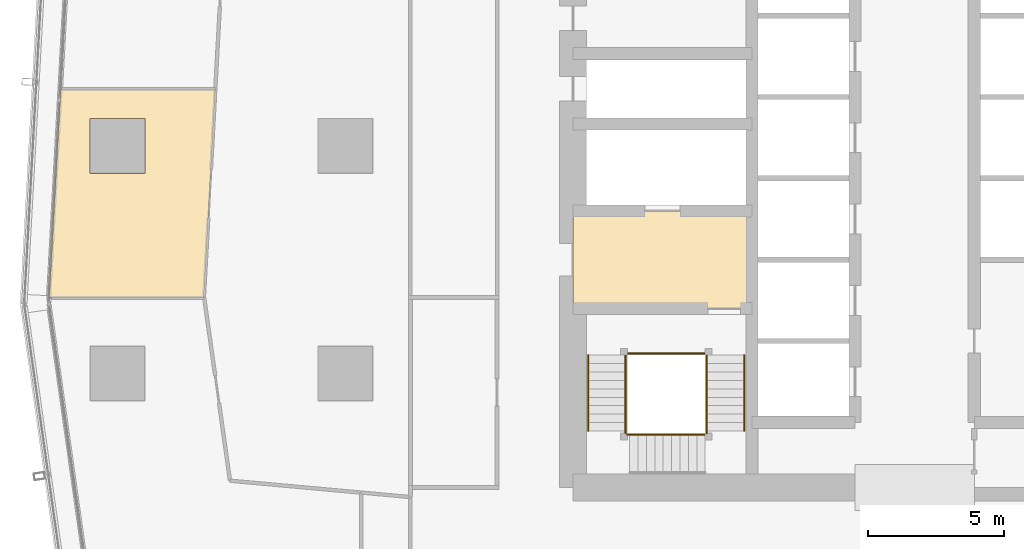
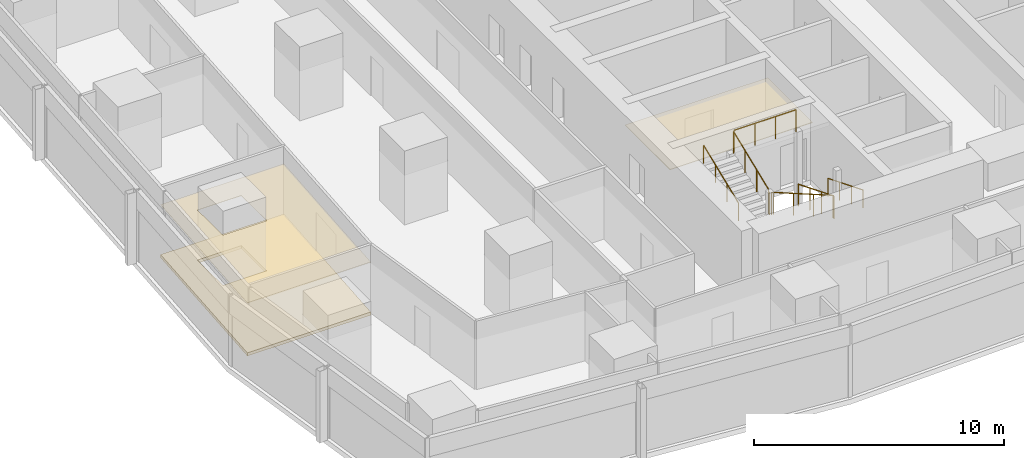
# One storey, part 33 of 39: 9 railings, 3 coverings.
"""IFC4 building model written with IfcOpenShell, lengths in metres."""

import ifcopenshell
import ifcopenshell.guid

model = None  # the IFC model being written
_history = None  # IfcOwnerHistory: only IFC2X3 demands one
_inside = {}  # id of a spatial element -> (the spatial element, [elements in it])
_under = {}  # id of a project, library or spatial element -> (it, [spatial elements below it])
_declared = {}  # id of a project -> (the project, [libraries it declares])
_typed = {}  # id of a type object -> (the type object, [elements of that type])
_made_of = {}  # id of a material, layer set ... -> (it, [elements and type objects made of it])


def new_model(schema):
    """Start an empty IFC model of exactly this schema.

    Asked for "IFC4X3", IfcOpenShell would pick the latest addendum, in which some entities
    have other attributes; the version numbers below select the first issue.
    IFC2X3 requires an IfcOwnerHistory on every rooted entity: one is made here for all.
    """
    global model, _history
    if schema == "IFC4X3":
        model = ifcopenshell.file(schema_version=(4, 3, 0, 0))
    else:
        model = ifcopenshell.file(schema=schema)
    _inside.clear()
    _under.clear()
    _declared.clear()
    _typed.clear()
    _made_of.clear()
    _history = None
    if model.schema == "IFC2X3":
        org = make("IfcOrganization", Name="unknown")
        user = make(
            "IfcPersonAndOrganization",
            ThePerson=make("IfcPerson", FamilyName="unknown"),
            TheOrganization=org,
        )
        app = make(
            "IfcApplication",
            ApplicationDeveloper=org,
            Version="unknown",
            ApplicationFullName="unknown",
            ApplicationIdentifier="unknown",
        )
        _history = make(
            "IfcOwnerHistory",
            OwningUser=user,
            OwningApplication=app,
            ChangeAction="ADDED",
            CreationDate=0,
        )
    return model


def make(cls, **values):
    """One entity of the class cls with the attributes given. An attribute that is None is left unset."""
    return model.create_entity(
        cls, **{name: value for name, value in values.items() if value is not None}
    )


def rooted(cls, **values):
    """An entity with a GlobalId (a new one), such as an element, a storey or a relation."""
    return make(cls, GlobalId=ifcopenshell.guid.new(), OwnerHistory=_history, **values)


def si_unit(unit_type, name, prefix=None):
    """IfcSIUnit, for example si_unit("LENGTHUNIT", "METRE", prefix="MILLI")."""
    return make("IfcSIUnit", UnitType=unit_type, Prefix=prefix, Name=name)


def assignment(units):
    """IfcUnitAssignment: the units of a project."""
    return None if units is None else make("IfcUnitAssignment", Units=units)


def point(xyz):
    """IfcCartesianPoint."""
    return None if xyz is None else make("IfcCartesianPoint", Coordinates=xyz)


def direction(xyz):
    """IfcDirection."""
    return None if xyz is None else make("IfcDirection", DirectionRatios=xyz)


def frame(location, z_axis=None, x_axis=None):
    """IfcAxis2Placement3D, a coordinate frame: its origin and axes. An axis left out is left unset."""
    return make(
        "IfcAxis2Placement3D",
        Location=point(location),
        Axis=direction(z_axis),
        RefDirection=direction(x_axis),
    )


def frame_2d(location, x_axis=None):
    """IfcAxis2Placement2D, a coordinate frame in the plane: its origin and x axis."""
    return make(
        "IfcAxis2Placement2D", Location=point(location), RefDirection=direction(x_axis)
    )


def origin():
    """The frame at (0, 0, 0) with its axes left unset."""
    return frame((0.0, 0.0, 0.0))


def origin_2d():
    """The frame at (0, 0) in the plane with its x axis left unset."""
    return frame_2d((0.0, 0.0))


def place(relative_to, where):
    """IfcLocalPlacement: puts the frame where relative to a parent placement (None: the world)."""
    return make(
        "IfcLocalPlacement", PlacementRelTo=relative_to, RelativePlacement=where
    )


def context(
    kind, dimensions, precision=None, world=None, true_north=None, identifier=None
):
    """IfcGeometricRepresentationContext, for example the 3D "Model" context."""
    return make(
        "IfcGeometricRepresentationContext",
        ContextIdentifier=identifier,
        ContextType=kind,
        CoordinateSpaceDimension=dimensions,
        Precision=precision,
        WorldCoordinateSystem=world,
        TrueNorth=true_north,
    )


def subcontext(parent, identifier, kind, view, scale=None):
    """IfcGeometricRepresentationSubContext, for example "Body" below "Model"."""
    return make(
        "IfcGeometricRepresentationSubContext",
        ContextIdentifier=identifier,
        ContextType=kind,
        ParentContext=parent,
        TargetScale=scale,
        TargetView=view,
    )


def project(units=None, contexts=None):
    """IfcProject with its units and contexts."""
    return rooted(
        "IfcProject",
        Name="project",
        RepresentationContexts=contexts,
        UnitsInContext=assignment(units),
    )


def spatial(cls, under=None, at=None, **own):
    """A site, building, storey or space (cls), placed at a placement, below another one or the project."""
    s = rooted(cls, ObjectPlacement=at, **own)
    if under is not None:
        _under.setdefault(under.id(), (under, []))[1].append(s)
    return s


def polyline(points):
    """IfcPolyline through the points."""
    return make("IfcPolyline", Points=[point(p) for p in points])


def profile(cls, at=None, kind="AREA", **sizes):
    """A parametric profile (cls). Its sizes go by their IFC names, for example OverallWidth=200.0."""
    return make(cls, ProfileType=kind, Position=at, **sizes)


def circle(**sizes):
    """IfcCircleProfileDef."""
    return profile("IfcCircleProfileDef", **sizes)


def outline(outer, holes=None, kind="AREA"):
    """IfcArbitraryClosedProfileDef: a profile drawn as a closed curve; with holes, ...WithVoids."""
    if holes is None:
        return make("IfcArbitraryClosedProfileDef", ProfileType=kind, OuterCurve=outer)
    return make(
        "IfcArbitraryProfileDefWithVoids",
        ProfileType=kind,
        OuterCurve=outer,
        InnerCurves=holes,
    )


def extrude(swept, where, along, depth):
    """IfcExtrudedAreaSolid: the profile swept, set in the frame where, extruded along a direction by depth."""
    return make(
        "IfcExtrudedAreaSolid",
        SweptArea=swept,
        Position=where,
        ExtrudedDirection=direction(along),
        Depth=depth,
    )


def shape(context_of_items, identifier, shape_type, items):
    """IfcShapeRepresentation: the items that make up one representation, for example the "Body"."""
    return make(
        "IfcShapeRepresentation",
        ContextOfItems=context_of_items,
        RepresentationIdentifier=identifier,
        RepresentationType=shape_type,
        Items=items,
    )


def material(Name=None, Category=None):
    """IfcMaterial."""
    return make("IfcMaterial", Name=Name, Category=Category)


def layer(
    of_material, thickness, ventilated=None, Name=None, Category=None, Priority=None
):
    """IfcMaterialLayer: one layer of a wall or slab, of a material (None: an air gap)."""
    return make(
        "IfcMaterialLayer",
        Material=of_material,
        LayerThickness=thickness,
        IsVentilated=ventilated,
        Name=Name,
        Category=Category,
        Priority=Priority,
    )


def layer_set(layers, Name=None):
    """IfcMaterialLayerSet."""
    return make("IfcMaterialLayerSet", MaterialLayers=layers, LayerSetName=Name)


def made_of(thing, what):
    """Note that an element or type object is made of a material, layer set ...; save() writes the relation."""
    if what is not None:
        _made_of.setdefault(what.id(), (what, []))[1].append(thing)
    return thing


def type_object(cls, material=None, **own):
    """A type object (cls), such as IfcWallType, which elements share."""
    return made_of(rooted(cls, **own), material)


def element(
    cls,
    number,
    at=None,
    inside=None,
    cuts=None,
    type_object=None,
    material=None,
    context=None,
    identifier="Body",
    shape_type=None,
    held_by="IfcProductDefinitionShape",
    body=None,
    shapes=None,
    **own,
):
    """One element of the class cls, such as IfcWall. Its Tag is "e" and its number.

    at: its placement. inside: the storey or other place that contains it. cuts: it is an
    opening in that element (IfcRelVoidsElement). A single representation is given by context,
    identifier, shape_type and body (its items); several are given by shapes. held_by: the class
    of the entity that holds the representations. save() writes the other relations.
    """
    e = rooted(cls, Tag="e%d" % number, ObjectPlacement=at, **own)
    if body is not None:
        shapes = [shape(context, identifier, shape_type, body)]
    if shapes is not None:
        e.Representation = make(held_by, Representations=shapes)
    if inside is not None:
        _inside.setdefault(inside.id(), (inside, []))[1].append(e)
    if cuts is not None:
        rooted(
            "IfcRelVoidsElement", RelatingBuildingElement=cuts, RelatedOpeningElement=e
        )
    if type_object is not None:
        _typed.setdefault(type_object.id(), (type_object, []))[1].append(e)
    return made_of(e, material)


def aggregate(whole, parts):
    """IfcRelAggregates: a whole, such as a stair, and the parts it consists of."""
    return rooted("IfcRelAggregates", RelatingObject=whole, RelatedObjects=parts)


def save(model, path):
    """Write the relations noted so far, then the file.

    IfcRelAggregates (storeys below a building ...), IfcRelContainedInSpatialStructure (elements
    in a storey), IfcRelDefinesByType, IfcRelAssociatesMaterial and IfcRelDeclares: one each for
    every whole, place, type object, material and project.
    """
    for whole, parts in _under.values():
        aggregate(whole, parts)
    for where, things in _inside.values():
        rooted(
            "IfcRelContainedInSpatialStructure",
            RelatedElements=things,
            RelatingStructure=where,
        )
    for kind, things in _typed.values():
        rooted("IfcRelDefinesByType", RelatedObjects=things, RelatingType=kind)
    for what, things in _made_of.values():
        rooted("IfcRelAssociatesMaterial", RelatedObjects=things, RelatingMaterial=what)
    for by, libraries in _declared.values():
        rooted("IfcRelDeclares", RelatingContext=by, RelatedDefinitions=libraries)
    model.write(path)


model = new_model("IFC4")

# Units and contexts
model_context = context("Model", 3, precision=1e-05, world=origin(), true_north=direction((0.0, 1.0)))
body_context = subcontext(model_context, "Body", "Model", "MODEL_VIEW")
ifc_project = project(units=[si_unit("LENGTHUNIT", "METRE"), si_unit("AREAUNIT", "SQUARE_METRE"), si_unit("VOLUMEUNIT", "CUBIC_METRE"), si_unit("PLANEANGLEUNIT", "RADIAN"), si_unit("MASSUNIT", "GRAM", prefix="KILO")], contexts=[model_context])

# Site, building, storey
site_placement = place(None, origin())
site = spatial("IfcSite", under=ifc_project, at=site_placement, CompositionType="ELEMENT")
building_placement = place(site_placement, origin())
building = spatial("IfcBuilding", under=site, at=building_placement, Name="Rekha Terrace Tower", CompositionType="ELEMENT")
storey_placement = place(building_placement, frame((0.0, 0.0, 147.800048828125)))
storey = spatial("IfcBuildingStorey", under=building, at=storey_placement, Name="L37", CompositionType="ELEMENT", Elevation=147.800048828125)

# Coverings
ifc_material_1 = material(Name="Mineral fibre tile in exposed grid", Category="finish")
ifc_layer_1 = layer(ifc_material_1, 0.02001953125)
ifc_layer_set_1 = layer_set([ifc_layer_1], Name="Mineral fibre tile in exposed grid")
covering_type_1 = type_object("IfcCoveringType", Name="CL1 600x1200 office grid ceiling", PredefinedType="CEILING", material=ifc_layer_set_1)
covering_1_placement = place(storey_placement, frame((0.0, 0.0, 2.579833984375)))
element("IfcCovering", 1, at=covering_1_placement, inside=storey, type_object=covering_type_1, Name="Ceiling L37-15", PredefinedType="CEILING", context=body_context, shape_type="SweptSolid", body=[
    extrude(outline(polyline([(5.8740234375, 28.0), (11.5830078125, 28.0), (12.00390625, 35.68701171875), (6.2958984375, 35.68701171875), (5.8740234375, 28.0)]), holes=[polyline([(9.4150390625, 32.5849609375), (7.385009765625, 32.5849609375), (7.385009765625, 34.614990234375), (9.4150390625, 34.614990234375), (9.4150390625, 32.5849609375)])]), origin(), (0.0, 0.0, 1.0), 0.02001953125),
])
ifc_material_2 = material(Name="Powder-coated aluminium pan", Category="aluminium")
ifc_layer_2 = layer(ifc_material_2, 0.030029296875)
ifc_layer_set_2 = layer_set([ifc_layer_2], Name="Powder-coated aluminium pan")
covering_type_2 = type_object("IfcCoveringType", Name="CL3 300x1200 metal pan ceiling", PredefinedType="CEILING", material=ifc_layer_set_2)
covering_2_placement = place(storey_placement, frame((0.0, 0.0, 2.570068359375)))
element("IfcCovering", 2, at=covering_2_placement, inside=storey, type_object=covering_type_2, Name="Ceiling L37-FLB1", PredefinedType="CEILING", context=body_context, shape_type="SweptSolid", body=[
    extrude(outline(polyline([(31.800048828125, 31.199951171875), (25.199951171875, 31.199951171875), (25.199951171875, 27.60009765625), (31.800048828125, 27.60009765625), (31.800048828125, 31.199951171875)])), origin(), (0.0, 0.0, 1.0), 0.02978515625),
])

# Railings
ifc_material_3 = material(Name="Stainless steel balustrade", Category="steel")
railing_type_1 = type_object("IfcRailingType", Name="GR1 1100 stair guard", PredefinedType="GUARDRAIL", material=ifc_material_3)
railing_1_placement = place(storey_placement, frame((30.135009765625, 25.875, 0.125)))
element("IfcRailing", 3, at=railing_1_placement, inside=storey, type_object=railing_type_1, Name="Guard ST1 L37 flight 1", PredefinedType="GUARDRAIL", context=body_context, shape_type="SweptSolid", body=[
    extrude(circle(Radius=0.02392578125, at=origin_2d()), frame((0.0, 0.0, 1.076171875), z_axis=(0.0, -0.927443287984, 0.373963831907), x_axis=(1.0, 0.0, 0.0)), (0.0, 0.0, 1.0), 3.00830078125),
    extrude(circle(Radius=0.02099609375, at=origin_2d()), origin(), (0.0, 0.0, 1.0), 1.052001953125),
    extrude(circle(Radius=0.02099609375, at=origin_2d()), frame((0.0, -0.929931640625, 0.375)), (0.0, 0.0, 1.0), 1.052001953125),
    extrude(circle(Radius=0.02099609375, at=origin_2d()), frame((0.0, -1.860107421875, 0.75)), (0.0, 0.0, 1.0), 1.052001953125),
    extrude(circle(Radius=0.02099609375, at=origin_2d()), frame((0.0, -2.7900390625, 1.125)), (0.0, 0.0, 1.0), 1.052001953125),
])
railing_2_placement = place(storey_placement, frame((30.074951171875, 22.93994140625, 1.375)))
element("IfcRailing", 4, at=railing_2_placement, inside=storey, type_object=railing_type_1, Name="Guard ST1 L37 flight 2", PredefinedType="GUARDRAIL", context=body_context, shape_type="SweptSolid", body=[
    extrude(circle(Radius=0.02392578125, at=origin_2d()), frame((0.0, 0.0, 1.076171875), z_axis=(-0.927443287984, 0.0, 0.373963831907), x_axis=(0.0, -1.0, 0.0)), (0.0, 0.0, 1.0), 3.00830078125),
    extrude(circle(Radius=0.02099609375, at=origin_2d()), origin(), (0.0, 0.0, 1.0), 1.052001953125),
    extrude(circle(Radius=0.02099609375, at=origin_2d()), frame((-0.929931640625, 0.0, 0.375)), (0.0, 0.0, 1.0), 1.052001953125),
    extrude(circle(Radius=0.02099609375, at=origin_2d()), frame((-1.860107421875, 0.0, 0.75)), (0.0, 0.0, 1.0), 1.052001953125),
    extrude(circle(Radius=0.02099609375, at=origin_2d()), frame((-2.7900390625, 0.0, 1.125)), (0.0, 0.0, 1.0), 1.052001953125),
])
railing_3_placement = place(storey_placement, frame((27.139892578125, 23.0849609375, 2.625)))
element("IfcRailing", 5, at=railing_3_placement, inside=storey, type_object=railing_type_1, Name="Guard ST1 L37 flight 3", PredefinedType="GUARDRAIL", context=body_context, shape_type="SweptSolid", body=[
    extrude(circle(Radius=0.02392578125, at=origin_2d()), frame((0.0, 0.0, 1.076171875), z_axis=(0.0, 0.927443287984, 0.373963831907), x_axis=(-1.0, 0.0, 0.0)), (0.0, 0.0, 1.0), 3.00830078125),
    extrude(circle(Radius=0.02099609375, at=origin_2d()), origin(), (0.0, 0.0, 1.0), 1.052001953125),
    extrude(circle(Radius=0.02099609375, at=origin_2d()), frame((0.0, 0.929931640625, 0.375)), (0.0, 0.0, 1.0), 1.052001953125),
    extrude(circle(Radius=0.02099609375, at=origin_2d()), frame((0.0, 1.860107421875, 0.75)), (0.0, 0.0, 1.0), 1.052001953125),
    extrude(circle(Radius=0.02099609375, at=origin_2d()), frame((0.0, 2.7900390625, 1.125)), (0.0, 0.0, 1.0), 1.052001953125),
])
railing_4_placement = place(storey_placement, frame((30.135009765625, 23.0849609375, 1.25)))
element("IfcRailing", 6, at=railing_4_placement, inside=storey, type_object=railing_type_1, Name="Guard ST1 L37 landing 1", PredefinedType="GUARDRAIL", context=body_context, shape_type="SweptSolid", body=[
    extrude(circle(Radius=0.02392578125, at=origin_2d()), frame((0.0, 0.0, 1.076171875), z_axis=(0.0, -1.0, 0.0), x_axis=(1.0, 0.0, 0.0)), (0.0, 0.0, 1.0), 0.0849609375),
    extrude(circle(Radius=0.02099609375, at=origin_2d()), origin(), (0.0, 0.0, 1.0), 1.052001953125),
    extrude(circle(Radius=0.02099609375, at=origin_2d()), frame((0.0, -0.0849609375, 0.0)), (0.0, 0.0, 1.0), 1.052001953125),
])
railing_5_placement = place(storey_placement, frame((27.284912109375, 22.93994140625, 2.5)))
element("IfcRailing", 7, at=railing_5_placement, inside=storey, type_object=railing_type_1, Name="Guard ST1 L37 landing 2", PredefinedType="GUARDRAIL", context=body_context, shape_type="SweptSolid", body=[
    extrude(circle(Radius=0.02392578125, at=origin_2d()), frame((0.0, 0.0, 1.076171875), z_axis=(-1.0, 0.0, 0.0), x_axis=(0.0, -1.0, 0.0)), (0.0, 0.0, 1.0), 0.0849609375),
    extrude(circle(Radius=0.02099609375, at=origin_2d()), origin(), (0.0, 0.0, 1.0), 1.052001953125),
    extrude(circle(Radius=0.02099609375, at=origin_2d()), frame((-0.0849609375, 0.0, 0.0)), (0.0, 0.0, 1.0), 1.052001953125),
])
railing_6_placement = place(storey_placement, frame((27.139892578125, 23.0849609375, 2.5)))
element("IfcRailing", 8, at=railing_6_placement, inside=storey, type_object=railing_type_1, Name="Guard ST1 L37 landing 3", PredefinedType="GUARDRAIL", context=body_context, shape_type="SweptSolid", body=[
    extrude(circle(Radius=0.02392578125, at=origin_2d()), frame((0.0, 0.0, 1.076171875), z_axis=(0.0, -1.0, 0.0), x_axis=(1.0, 0.0, 0.0)), (0.0, 0.0, 1.0), 0.0849609375),
    extrude(circle(Radius=0.02099609375, at=origin_2d()), origin(), (0.0, 0.0, 1.0), 1.052001953125),
    extrude(circle(Radius=0.02099609375, at=origin_2d()), frame((0.0, -0.0849609375, 0.0)), (0.0, 0.0, 1.0), 1.052001953125),
])
railing_7_placement = place(storey_placement, frame((30.074951171875, 25.93505859375, 3.75)))
element("IfcRailing", 9, at=railing_7_placement, inside=storey, type_object=railing_type_1, Name="Guard ST1 L37 landing 4", PredefinedType="GUARDRAIL", context=body_context, shape_type="SweptSolid", body=[
    extrude(circle(Radius=0.02392578125, at=origin_2d()), frame((0.0, 0.0, 1.076171875), z_axis=(-1.0, 0.0, 0.0), x_axis=(0.0, -1.0, 0.0)), (0.0, 0.0, 1.0), 2.875),
    extrude(circle(Radius=0.02099609375, at=origin_2d()), origin(), (0.0, 0.0, 1.0), 1.052001953125),
    extrude(circle(Radius=0.02099609375, at=origin_2d()), frame((-0.958251953125, 0.0, 0.0)), (0.0, 0.0, 1.0), 1.052001953125),
    extrude(circle(Radius=0.02099609375, at=origin_2d()), frame((-1.916748046875, 0.0, 0.0)), (0.0, 0.0, 1.0), 1.052001953125),
    extrude(circle(Radius=0.02099609375, at=origin_2d()), frame((-2.875, 0.0, 0.0)), (0.0, 0.0, 1.0), 1.052001953125),
])
ifc_material_4 = material(Name="Stainless steel tube", Category="steel")
railing_type_2 = type_object("IfcRailingType", Name="HR1 900 stair handrail", PredefinedType="HANDRAIL", material=ifc_material_4)
railing_8_placement = place(storey_placement, frame((31.514892578125, 25.875, 0.125)))
element("IfcRailing", 10, at=railing_8_placement, inside=storey, type_object=railing_type_2, Name="Handrail ST1 L37 flight 1", PredefinedType="HANDRAIL", context=body_context, shape_type="SweptSolid", body=[
    extrude(circle(Radius=0.02392578125, at=origin_2d()), frame((0.0, 0.0, 0.8759765625), z_axis=(0.0, -0.927443287984, 0.373963831907), x_axis=(1.0, 0.0, 0.0)), (0.0, 0.0, 1.0), 3.00830078125),
    extrude(circle(Radius=0.02099609375, at=origin_2d()), origin(), (0.0, 0.0, 1.0), 0.851806640625),
    extrude(circle(Radius=0.02099609375, at=origin_2d()), frame((0.0, -0.929931640625, 0.375)), (0.0, 0.0, 1.0), 0.851806640625),
    extrude(circle(Radius=0.02099609375, at=origin_2d()), frame((0.0, -1.860107421875, 0.75)), (0.0, 0.0, 1.0), 0.851806640625),
    extrude(circle(Radius=0.02099609375, at=origin_2d()), frame((0.0, -2.7900390625, 1.125)), (0.0, 0.0, 1.0), 0.851806640625),
])
railing_9_placement = place(storey_placement, frame((25.760009765625, 23.0849609375, 2.625)))
element("IfcRailing", 11, at=railing_9_placement, inside=storey, type_object=railing_type_2, Name="Handrail ST1 L37 flight 3", PredefinedType="HANDRAIL", context=body_context, shape_type="SweptSolid", body=[
    extrude(circle(Radius=0.02392578125, at=origin_2d()), frame((0.0, 0.0, 0.8759765625), z_axis=(0.0, 0.927443287984, 0.373963831907), x_axis=(-1.0, 0.0, 0.0)), (0.0, 0.0, 1.0), 3.00830078125),
    extrude(circle(Radius=0.02099609375, at=origin_2d()), origin(), (0.0, 0.0, 1.0), 0.851806640625),
    extrude(circle(Radius=0.02099609375, at=origin_2d()), frame((0.0, 0.929931640625, 0.375)), (0.0, 0.0, 1.0), 0.851806640625),
    extrude(circle(Radius=0.02099609375, at=origin_2d()), frame((0.0, 1.860107421875, 0.75)), (0.0, 0.0, 1.0), 0.851806640625),
    extrude(circle(Radius=0.02099609375, at=origin_2d()), frame((0.0, 2.7900390625, 1.125)), (0.0, 0.0, 1.0), 0.851806640625),
])

# Covering
ifc_material_5 = material(Name="Calcium sulphate panels on steel pedestals", Category="steel")
ifc_layer_3 = layer(ifc_material_5, 0.14990234375)
ifc_layer_set_3 = layer_set([ifc_layer_3], Name="Calcium sulphate panels on steel pedestals")
covering_type_3 = type_object("IfcCoveringType", Name="RF1 150 raised access floor", PredefinedType="FLOORING", material=ifc_layer_set_3)
covering_3_placement = place(storey_placement, origin())
element("IfcCovering", 12, at=covering_3_placement, inside=storey, type_object=covering_type_3, Name="Raised floor L37-15", PredefinedType="FLOORING", context=body_context, shape_type="SweptSolid", body=[
    extrude(outline(polyline([(5.8740234375, 28.0), (11.5830078125, 28.0), (12.00390625, 35.68701171875), (6.2958984375, 35.68701171875), (5.8740234375, 28.0)]), holes=[polyline([(9.4150390625, 32.5849609375), (7.385009765625, 32.5849609375), (7.385009765625, 34.614990234375), (9.4150390625, 34.614990234375), (9.4150390625, 32.5849609375)])]), origin(), (0.0, 0.0, 1.0), 0.14990234375),
])

save(model, "model.ifc")
